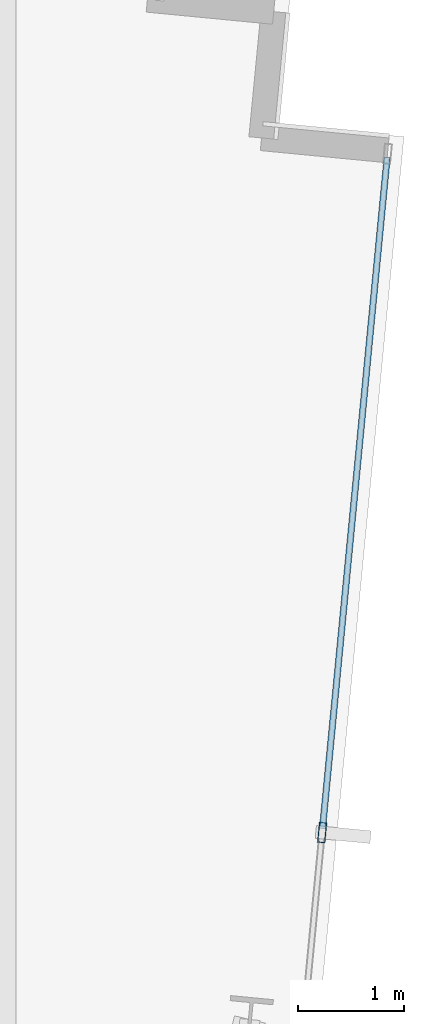
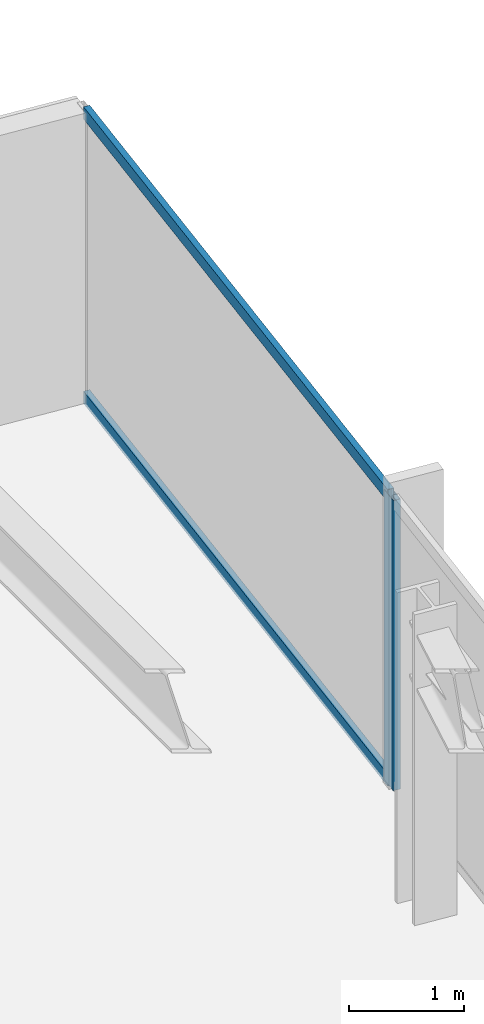
# One storey, part 20 of 37: 3 members, 1 element without a shape of its own.
"""IFC4 building model written with IfcOpenShell, lengths in metres."""

from ifc_helpers import new_model, si_unit, direction, frame, origin, origin_2d, place, context, subcontext, project, spatial, hollow_rectangle, extrude, material, material_profile, profile_set, type_object, element, aggregate, save


model = new_model("IFC4")

# Units and contexts
model_context = context("Model", 3, precision=1e-05, world=origin(), true_north=direction((0.0, 1.0)))
body_context = subcontext(model_context, "Body", "Model", "MODEL_VIEW")
ifc_project = project(units=[si_unit("LENGTHUNIT", "METRE"), si_unit("AREAUNIT", "SQUARE_METRE"), si_unit("VOLUMEUNIT", "CUBIC_METRE"), si_unit("PLANEANGLEUNIT", "RADIAN"), si_unit("MASSUNIT", "GRAM", prefix="KILO")], contexts=[model_context])

# Site, building, storey
site_placement = place(None, origin())
site = spatial("IfcSite", under=ifc_project, at=site_placement, CompositionType="ELEMENT")
building_placement = place(site_placement, origin())
building = spatial("IfcBuilding", under=site, at=building_placement, Name="Yelkora Congress Tower", CompositionType="ELEMENT")
storey_placement = place(building_placement, frame((0.0, 0.0, 165.5)))
storey = spatial("IfcBuildingStorey", under=building, at=storey_placement, Name="L45", CompositionType="ELEMENT", Elevation=165.5)

# Curtain wall, members
ifc_material_1 = material(Name="Anodised aluminium and insulated glass", Category="aluminium")
curtain_wall_type = type_object("IfcCurtainWallType", Name="CW-SYS-B3", PredefinedType="NOTDEFINED", material=ifc_material_1)
curtain_wall_placement = place(storey_placement, origin())
curtain_wall = element("IfcCurtainWall", 1, at=curtain_wall_placement, inside=storey, type_object=curtain_wall_type, Name="L45 Unitised Curtain Wall 15", PredefinedType="NOTDEFINED")
ifc_material_2 = material(Name="Anodised aluminium 6063-T6", Category="aluminium")
ifc_material_profile_1 = material_profile(ifc_material_2, hollow_rectangle(XDim=0.070068359375, YDim=0.18994140625, WallThickness=0.00390625, at=origin_2d()), Name="ALU 70x190x4")
ifc_profile_set_1 = profile_set([ifc_material_profile_1], Name="Anodised aluminium 6063-T6")
member_type_1 = type_object("IfcMemberType", Name="MEM-ML-B3", PredefinedType="MULLION", material=ifc_profile_set_1)
member_1_placement = place(storey_placement, frame((60.646240234375, 36.849853515625, 0.0), z_axis=(0.0, 0.0, 1.0), x_axis=(0.995396565076, -0.095841944023, 0.0)))
member_1 = element("IfcMember", 2, at=member_1_placement, type_object=member_type_1, Name="CW-B3 mullion 2", PredefinedType="MULLION", context=body_context, shape_type="SweptSolid", body=[
    extrude(hollow_rectangle(XDim=0.070068359375, YDim=0.18994140625, WallThickness=0.00390625, at=origin_2d()), origin(), (0.0, 0.0, 1.0), 3.080078125),
])
ifc_material_profile_2 = material_profile(ifc_material_2, hollow_rectangle(XDim=0.06005859375, YDim=0.1298828125, WallThickness=0.00390625, at=origin_2d()), Name="ALU 60x130x4")
ifc_profile_set_2 = profile_set([ifc_material_profile_2], Name="Anodised aluminium 6063-T6")
member_type_2 = type_object("IfcMemberType", Name="MEM-TR-B3", PredefinedType="USERDEFINED", material=ifc_profile_set_2)
member_2_placement = place(storey_placement, frame((61.260986328125, 43.234375, 0.030029296875), z_axis=(-0.095872844558, -0.995393589329, 0.0), x_axis=(0.995393589329, -0.095872844558, 0.0)))
member_2 = element("IfcMember", 3, at=member_2_placement, type_object=member_type_2, Name="CW-B3 transom 1.1", ObjectType="TRANSOM", PredefinedType="USERDEFINED", context=body_context, shape_type="SweptSolid", body=[
    extrude(hollow_rectangle(XDim=0.06005859375, YDim=0.1298828125, WallThickness=0.00390625, at=origin_2d()), origin(), (0.0, 0.0, 1.0), 6.37890625),
])
member_3_placement = place(storey_placement, frame((61.260986328125, 43.234375, 3.050048828125), z_axis=(-0.095872844558, -0.995393589329, 0.0), x_axis=(0.995393589329, -0.095872844558, 0.0)))
member_3 = element("IfcMember", 4, at=member_3_placement, type_object=member_type_2, Name="CW-B3 transom 1.2", ObjectType="TRANSOM", PredefinedType="USERDEFINED", context=body_context, shape_type="SweptSolid", body=[
    extrude(hollow_rectangle(XDim=0.06005859375, YDim=0.1298828125, WallThickness=0.00390625, at=origin_2d()), origin(), (0.0, 0.0, 1.0), 6.37890625),
])
aggregate(curtain_wall, [member_1, member_2, member_3])

save(model, "model.ifc")
